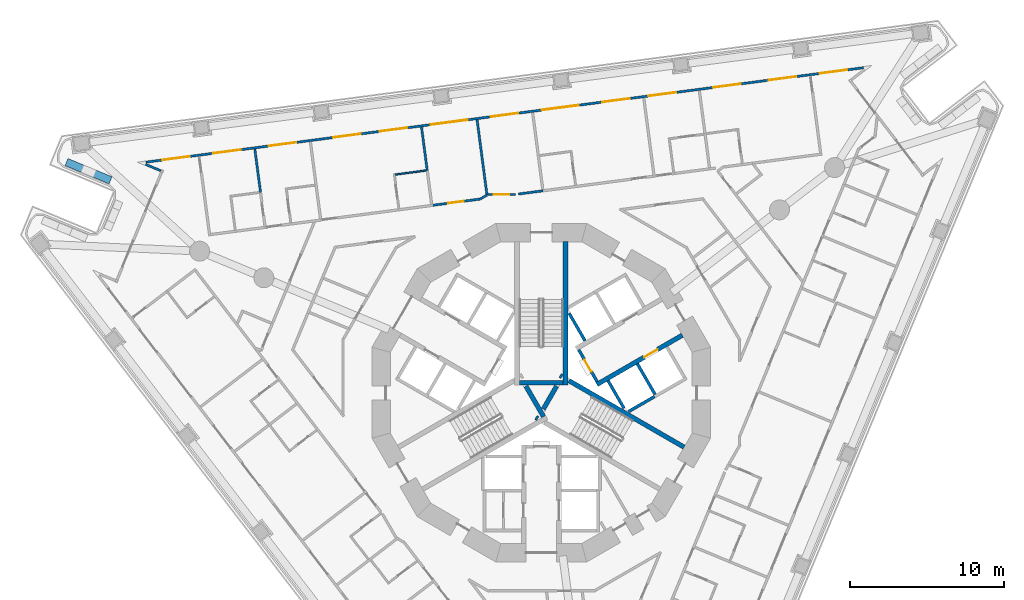
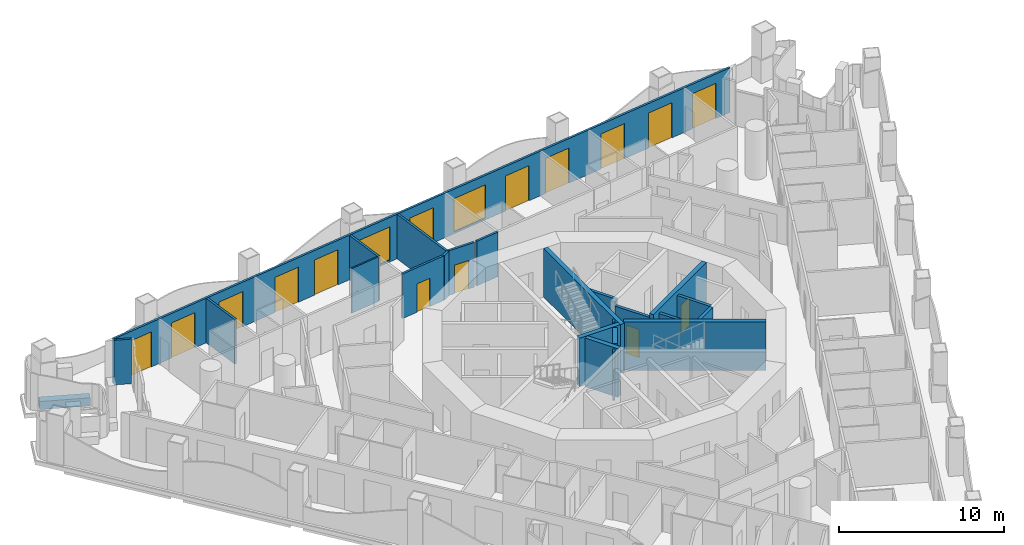
# One storey, part 8 of 19: 24 walls, 15 doors, 2 windows, 17 openings.
"""IFC4 building model written with IfcOpenShell, lengths in metres."""

import ifcopenshell
import ifcopenshell.guid

model = None  # the IFC model being written
_history = None  # IfcOwnerHistory: only IFC2X3 demands one
_inside = {}  # id of a spatial element -> (the spatial element, [elements in it])
_under = {}  # id of a project, library or spatial element -> (it, [spatial elements below it])
_declared = {}  # id of a project -> (the project, [libraries it declares])
_typed = {}  # id of a type object -> (the type object, [elements of that type])
_made_of = {}  # id of a material, layer set ... -> (it, [elements and type objects made of it])


def new_model(schema):
    """Start an empty IFC model of exactly this schema.

    Asked for "IFC4X3", IfcOpenShell would pick the latest addendum, in which some entities
    have other attributes; the version numbers below select the first issue.
    IFC2X3 requires an IfcOwnerHistory on every rooted entity: one is made here for all.
    """
    global model, _history
    if schema == "IFC4X3":
        model = ifcopenshell.file(schema_version=(4, 3, 0, 0))
    else:
        model = ifcopenshell.file(schema=schema)
    _inside.clear()
    _under.clear()
    _declared.clear()
    _typed.clear()
    _made_of.clear()
    _history = None
    if model.schema == "IFC2X3":
        org = make("IfcOrganization", Name="unknown")
        user = make(
            "IfcPersonAndOrganization",
            ThePerson=make("IfcPerson", FamilyName="unknown"),
            TheOrganization=org,
        )
        app = make(
            "IfcApplication",
            ApplicationDeveloper=org,
            Version="unknown",
            ApplicationFullName="unknown",
            ApplicationIdentifier="unknown",
        )
        _history = make(
            "IfcOwnerHistory",
            OwningUser=user,
            OwningApplication=app,
            ChangeAction="ADDED",
            CreationDate=0,
        )
    return model


def make(cls, **values):
    """One entity of the class cls with the attributes given. An attribute that is None is left unset."""
    return model.create_entity(
        cls, **{name: value for name, value in values.items() if value is not None}
    )


def rooted(cls, **values):
    """An entity with a GlobalId (a new one), such as an element, a storey or a relation."""
    return make(cls, GlobalId=ifcopenshell.guid.new(), OwnerHistory=_history, **values)


def si_unit(unit_type, name, prefix=None):
    """IfcSIUnit, for example si_unit("LENGTHUNIT", "METRE", prefix="MILLI")."""
    return make("IfcSIUnit", UnitType=unit_type, Prefix=prefix, Name=name)


def assignment(units):
    """IfcUnitAssignment: the units of a project."""
    return None if units is None else make("IfcUnitAssignment", Units=units)


def point(xyz):
    """IfcCartesianPoint."""
    return None if xyz is None else make("IfcCartesianPoint", Coordinates=xyz)


def direction(xyz):
    """IfcDirection."""
    return None if xyz is None else make("IfcDirection", DirectionRatios=xyz)


def frame(location, z_axis=None, x_axis=None):
    """IfcAxis2Placement3D, a coordinate frame: its origin and axes. An axis left out is left unset."""
    return make(
        "IfcAxis2Placement3D",
        Location=point(location),
        Axis=direction(z_axis),
        RefDirection=direction(x_axis),
    )


def frame_2d(location, x_axis=None):
    """IfcAxis2Placement2D, a coordinate frame in the plane: its origin and x axis."""
    return make(
        "IfcAxis2Placement2D", Location=point(location), RefDirection=direction(x_axis)
    )


def origin():
    """The frame at (0, 0, 0) with its axes left unset."""
    return frame((0.0, 0.0, 0.0))


def place(relative_to, where):
    """IfcLocalPlacement: puts the frame where relative to a parent placement (None: the world)."""
    return make(
        "IfcLocalPlacement", PlacementRelTo=relative_to, RelativePlacement=where
    )


def context(
    kind, dimensions, precision=None, world=None, true_north=None, identifier=None
):
    """IfcGeometricRepresentationContext, for example the 3D "Model" context."""
    return make(
        "IfcGeometricRepresentationContext",
        ContextIdentifier=identifier,
        ContextType=kind,
        CoordinateSpaceDimension=dimensions,
        Precision=precision,
        WorldCoordinateSystem=world,
        TrueNorth=true_north,
    )


def subcontext(parent, identifier, kind, view, scale=None):
    """IfcGeometricRepresentationSubContext, for example "Body" below "Model"."""
    return make(
        "IfcGeometricRepresentationSubContext",
        ContextIdentifier=identifier,
        ContextType=kind,
        ParentContext=parent,
        TargetScale=scale,
        TargetView=view,
    )


def project(units=None, contexts=None):
    """IfcProject with its units and contexts."""
    return rooted(
        "IfcProject",
        Name="project",
        RepresentationContexts=contexts,
        UnitsInContext=assignment(units),
    )


def spatial(cls, under=None, at=None, **own):
    """A site, building, storey or space (cls), placed at a placement, below another one or the project."""
    s = rooted(cls, ObjectPlacement=at, **own)
    if under is not None:
        _under.setdefault(under.id(), (under, []))[1].append(s)
    return s


def polyline(points):
    """IfcPolyline through the points."""
    return make("IfcPolyline", Points=[point(p) for p in points])


def profile(cls, at=None, kind="AREA", **sizes):
    """A parametric profile (cls). Its sizes go by their IFC names, for example OverallWidth=200.0."""
    return make(cls, ProfileType=kind, Position=at, **sizes)


def rectangle(**sizes):
    """IfcRectangleProfileDef."""
    return profile("IfcRectangleProfileDef", **sizes)


def outline(outer, holes=None, kind="AREA"):
    """IfcArbitraryClosedProfileDef: a profile drawn as a closed curve; with holes, ...WithVoids."""
    if holes is None:
        return make("IfcArbitraryClosedProfileDef", ProfileType=kind, OuterCurve=outer)
    return make(
        "IfcArbitraryProfileDefWithVoids",
        ProfileType=kind,
        OuterCurve=outer,
        InnerCurves=holes,
    )


def extrude(swept, where, along, depth):
    """IfcExtrudedAreaSolid: the profile swept, set in the frame where, extruded along a direction by depth."""
    return make(
        "IfcExtrudedAreaSolid",
        SweptArea=swept,
        Position=where,
        ExtrudedDirection=direction(along),
        Depth=depth,
    )


def shape(context_of_items, identifier, shape_type, items):
    """IfcShapeRepresentation: the items that make up one representation, for example the "Body"."""
    return make(
        "IfcShapeRepresentation",
        ContextOfItems=context_of_items,
        RepresentationIdentifier=identifier,
        RepresentationType=shape_type,
        Items=items,
    )


def material(Name=None, Category=None):
    """IfcMaterial."""
    return make("IfcMaterial", Name=Name, Category=Category)


def layer(
    of_material, thickness, ventilated=None, Name=None, Category=None, Priority=None
):
    """IfcMaterialLayer: one layer of a wall or slab, of a material (None: an air gap)."""
    return make(
        "IfcMaterialLayer",
        Material=of_material,
        LayerThickness=thickness,
        IsVentilated=ventilated,
        Name=Name,
        Category=Category,
        Priority=Priority,
    )


def layer_set(layers, Name=None):
    """IfcMaterialLayerSet."""
    return make("IfcMaterialLayerSet", MaterialLayers=layers, LayerSetName=Name)


def made_of(thing, what):
    """Note that an element or type object is made of a material, layer set ...; save() writes the relation."""
    if what is not None:
        _made_of.setdefault(what.id(), (what, []))[1].append(thing)
    return thing


def type_object(cls, material=None, **own):
    """A type object (cls), such as IfcWallType, which elements share."""
    return made_of(rooted(cls, **own), material)


def element(
    cls,
    number,
    at=None,
    inside=None,
    cuts=None,
    type_object=None,
    material=None,
    context=None,
    identifier="Body",
    shape_type=None,
    held_by="IfcProductDefinitionShape",
    body=None,
    shapes=None,
    **own,
):
    """One element of the class cls, such as IfcWall. Its Tag is "e" and its number.

    at: its placement. inside: the storey or other place that contains it. cuts: it is an
    opening in that element (IfcRelVoidsElement). A single representation is given by context,
    identifier, shape_type and body (its items); several are given by shapes. held_by: the class
    of the entity that holds the representations. save() writes the other relations.
    """
    e = rooted(cls, Tag="e%d" % number, ObjectPlacement=at, **own)
    if body is not None:
        shapes = [shape(context, identifier, shape_type, body)]
    if shapes is not None:
        e.Representation = make(held_by, Representations=shapes)
    if inside is not None:
        _inside.setdefault(inside.id(), (inside, []))[1].append(e)
    if cuts is not None:
        rooted(
            "IfcRelVoidsElement", RelatingBuildingElement=cuts, RelatedOpeningElement=e
        )
    if type_object is not None:
        _typed.setdefault(type_object.id(), (type_object, []))[1].append(e)
    return made_of(e, material)


def fill(opening, filler):
    """IfcRelFillsElement: the door or window that sits in an opening."""
    return rooted(
        "IfcRelFillsElement",
        RelatingOpeningElement=opening,
        RelatedBuildingElement=filler,
    )


def aggregate(whole, parts):
    """IfcRelAggregates: a whole, such as a stair, and the parts it consists of."""
    return rooted("IfcRelAggregates", RelatingObject=whole, RelatedObjects=parts)


def save(model, path):
    """Write the relations noted so far, then the file.

    IfcRelAggregates (storeys below a building ...), IfcRelContainedInSpatialStructure (elements
    in a storey), IfcRelDefinesByType, IfcRelAssociatesMaterial and IfcRelDeclares: one each for
    every whole, place, type object, material and project.
    """
    for whole, parts in _under.values():
        aggregate(whole, parts)
    for where, things in _inside.values():
        rooted(
            "IfcRelContainedInSpatialStructure",
            RelatedElements=things,
            RelatingStructure=where,
        )
    for kind, things in _typed.values():
        rooted("IfcRelDefinesByType", RelatedObjects=things, RelatingType=kind)
    for what, things in _made_of.values():
        rooted("IfcRelAssociatesMaterial", RelatedObjects=things, RelatingMaterial=what)
    for by, libraries in _declared.values():
        rooted("IfcRelDeclares", RelatingContext=by, RelatedDefinitions=libraries)
    model.write(path)


model = new_model("IFC4")

# Units and contexts
model_context = context("Model", 3, precision=1e-05, world=origin(), true_north=direction((0.0, 1.0)))
body_context = subcontext(model_context, "Body", "Model", "MODEL_VIEW")
ifc_project = project(units=[si_unit("LENGTHUNIT", "METRE"), si_unit("AREAUNIT", "SQUARE_METRE"), si_unit("VOLUMEUNIT", "CUBIC_METRE"), si_unit("PLANEANGLEUNIT", "RADIAN"), si_unit("MASSUNIT", "GRAM", prefix="KILO")], contexts=[model_context])

# Site, building, storey
site_placement = place(None, origin())
site = spatial("IfcSite", under=ifc_project, at=site_placement, CompositionType="ELEMENT")
building_placement = place(site_placement, origin())
building = spatial("IfcBuilding", under=site, at=building_placement, Name="Trine Commons Tower", CompositionType="ELEMENT")
storey_placement = place(building_placement, frame((0.0, 0.0, 72.0)))
storey = spatial("IfcBuildingStorey", under=building, at=storey_placement, Name="L17", CompositionType="ELEMENT", Elevation=72.0)

# Wall
ifc_material_1 = material(Name="Aluminium-framed insulated wall panel", Category="aluminium")
ifc_layer_1 = layer(ifc_material_1, 0.14990234375)
ifc_layer_set_1 = layer_set([ifc_layer_1], Name="Aluminium-framed insulated wall panel")
wall_type_1 = type_object("IfcWallType", Name="Glazed frame wall 150, EI 60", PredefinedType="SOLIDWALL", material=ifc_layer_set_1)
wall_1_placement = place(storey_placement, frame((55.376220703125, 76.883056640625, 0.0), z_axis=(0.0, 0.0, 1.0), x_axis=(-0.923901801611, 0.382629665579, 0.0)))
element("IfcWall", 1, at=wall_1_placement, inside=storey, type_object=wall_type_1, Name="Glazed frame wall R3", PredefinedType="SOLIDWALL", context=body_context, shape_type="SweptSolid", body=[
    extrude(outline(polyline([(0.110107421875, 0.074951171875), (0.110107421875, -0.074951171875), (1.19580078125, -0.074951171875), (1.19580078125, 0.074951171875), (0.110107421875, 0.074951171875)])), origin(), (0.0, 0.0, 1.0), 3.300048828125),
])

# Wall, openings, windows, doors
wall_2_placement = place(storey_placement, frame((54.142333984375, 77.464599609375, 0.0), z_axis=(0.0, 0.0, 1.0), x_axis=(0.991444696532, 0.130527444308, 0.0)))
wall_2 = element("IfcWall", 2, at=wall_2_placement, inside=storey, type_object=wall_type_1, Name="Glazed frame wall F1", PredefinedType="SOLIDWALL", context=body_context, shape_type="SweptSolid", body=[
    extrude(outline(polyline([(0.1494140625, 0.074951171875), (0.1494140625, -0.074951171875), (47.216796875, -0.074951171875), (47.216796875, 0.074951171875), (0.1494140625, 0.074951171875)])), origin(), (0.0, 0.0, 1.0), 3.300048828125),
])
opening_1_placement = place(wall_2_placement, frame((1.2216796875, 0.0, 0.0)))
opening_1 = element("IfcOpeningElement", 3, at=opening_1_placement, cuts=wall_2, Name="Opening BD-2F1-01", PredefinedType="OPENING", context=body_context, shape_type="SweptSolid", body=[
    extrude(rectangle(XDim=1.800048828125, YDim=2.60009765625, at=frame_2d((0.89990234375, 1.300048828125))), frame((0.0, 0.0849609375, 0.0), z_axis=(0.0, -1.0, 0.0), x_axis=(1.0, 0.0, 0.0)), (0.0, 0.0, 1.0), 0.169921875),
])
opening_2_placement = place(wall_2_placement, frame((4.5654296875, 0.0, 0.0)))
opening_2 = element("IfcOpeningElement", 4, at=opening_2_placement, cuts=wall_2, Name="Opening BD-2F1-02", PredefinedType="OPENING", context=body_context, shape_type="SweptSolid", body=[
    extrude(rectangle(XDim=1.800048828125, YDim=2.60009765625, at=frame_2d((0.89990234375, 1.300048828125))), frame((0.0, 0.0849609375, 0.0), z_axis=(0.0, -1.0, 0.0), x_axis=(1.0, 0.0, 0.0)), (0.0, 0.0, 1.0), 0.169921875),
])
opening_3_placement = place(wall_2_placement, frame((8.208984375, 0.0, 0.0)))
opening_3 = element("IfcOpeningElement", 5, at=opening_3_placement, cuts=wall_2, Name="Opening BD-2F1-03", PredefinedType="OPENING", context=body_context, shape_type="SweptSolid", body=[
    extrude(rectangle(XDim=1.800048828125, YDim=2.60009765625, at=frame_2d((0.89990234375, 1.300048828125))), frame((0.0, 0.0849609375, 0.0), z_axis=(0.0, -1.0, 0.0), x_axis=(1.0, 0.0, 0.0)), (0.0, 0.0, 1.0), 0.169921875),
])
opening_4_placement = place(wall_2_placement, frame((12.45263671875, 0.0, 0.0)))
opening_4 = element("IfcOpeningElement", 6, at=opening_4_placement, cuts=wall_2, Name="Opening BD-2F1-04", PredefinedType="OPENING", context=body_context, shape_type="SweptSolid", body=[
    extrude(rectangle(XDim=1.800048828125, YDim=2.60009765625, at=frame_2d((0.89990234375, 1.300048828125))), frame((0.0, 0.0849609375, 0.0), z_axis=(0.0, -1.0, 0.0), x_axis=(1.0, 0.0, 0.0)), (0.0, 0.0, 1.0), 0.169921875),
])
opening_5_placement = place(wall_2_placement, frame((15.49609375, 0.0, 0.0)))
opening_5 = element("IfcOpeningElement", 7, at=opening_5_placement, cuts=wall_2, Name="Opening BD-2F1-05", PredefinedType="OPENING", context=body_context, shape_type="SweptSolid", body=[
    extrude(rectangle(XDim=1.800048828125, YDim=2.60009765625, at=frame_2d((0.89990234375, 1.300048828125))), frame((0.0, 0.0849609375, 0.0), z_axis=(0.0, -1.0, 0.0), x_axis=(1.0, 0.0, 0.0)), (0.0, 0.0, 1.0), 0.169921875),
])
opening_6_placement = place(wall_2_placement, frame((18.83984375, 0.0, 0.14990234375)))
opening_6 = element("IfcOpeningElement", 8, at=opening_6_placement, cuts=wall_2, Name="Opening W-2F1-06", PredefinedType="OPENING", context=body_context, shape_type="SweptSolid", body=[
    extrude(rectangle(XDim=2.39990234375, YDim=2.449951171875, at=frame_2d((1.199951171875, 1.22509765625))), frame((0.0, 0.0849609375, 0.0), z_axis=(0.0, -1.0, 0.0), x_axis=(1.0, 0.0, 0.0)), (0.0, 0.0, 1.0), 0.169921875),
])
opening_7_placement = place(wall_2_placement, frame((22.783447265625, 0.0, 0.0)))
opening_7 = element("IfcOpeningElement", 9, at=opening_7_placement, cuts=wall_2, Name="Opening BD-2F1-07", PredefinedType="OPENING", context=body_context, shape_type="SweptSolid", body=[
    extrude(rectangle(XDim=1.800048828125, YDim=2.60009765625, at=frame_2d((0.89990234375, 1.300048828125))), frame((0.0, 0.0849609375, 0.0), z_axis=(0.0, -1.0, 0.0), x_axis=(1.0, 0.0, 0.0)), (0.0, 0.0, 1.0), 0.169921875),
])
opening_8_placement = place(wall_2_placement, frame((26.126953125, 0.0, 0.14990234375)))
opening_8 = element("IfcOpeningElement", 10, at=opening_8_placement, cuts=wall_2, Name="Opening W-2F1-08", PredefinedType="OPENING", context=body_context, shape_type="SweptSolid", body=[
    extrude(rectangle(XDim=2.39990234375, YDim=2.449951171875, at=frame_2d((1.199951171875, 1.22509765625))), frame((0.0, 0.0849609375, 0.0), z_axis=(0.0, -1.0, 0.0), x_axis=(1.0, 0.0, 0.0)), (0.0, 0.0, 1.0), 0.169921875),
])
opening_9_placement = place(wall_2_placement, frame((30.070556640625, 0.0, 0.0)))
opening_9 = element("IfcOpeningElement", 11, at=opening_9_placement, cuts=wall_2, Name="Opening BD-2F1-09", PredefinedType="OPENING", context=body_context, shape_type="SweptSolid", body=[
    extrude(rectangle(XDim=1.800048828125, YDim=2.60009765625, at=frame_2d((0.89990234375, 1.300048828125))), frame((0.0, 0.0849609375, 0.0), z_axis=(0.0, -1.0, 0.0), x_axis=(1.0, 0.0, 0.0)), (0.0, 0.0, 1.0), 0.169921875),
])
opening_10_placement = place(wall_2_placement, frame((33.1142578125, 0.0, 0.0)))
opening_10 = element("IfcOpeningElement", 12, at=opening_10_placement, cuts=wall_2, Name="Opening BD-2F1-10", PredefinedType="OPENING", context=body_context, shape_type="SweptSolid", body=[
    extrude(rectangle(XDim=1.800048828125, YDim=2.60009765625, at=frame_2d((0.89990234375, 1.300048828125))), frame((0.0, 0.0849609375, 0.0), z_axis=(0.0, -1.0, 0.0), x_axis=(1.0, 0.0, 0.0)), (0.0, 0.0, 1.0), 0.169921875),
])
opening_11_placement = place(wall_2_placement, frame((37.35791015625, 0.0, 0.0)))
opening_11 = element("IfcOpeningElement", 13, at=opening_11_placement, cuts=wall_2, Name="Opening BD-2F1-11", PredefinedType="OPENING", context=body_context, shape_type="SweptSolid", body=[
    extrude(rectangle(XDim=1.800048828125, YDim=2.60009765625, at=frame_2d((0.89990234375, 1.300048828125))), frame((0.0, 0.0849609375, 0.0), z_axis=(0.0, -1.0, 0.0), x_axis=(1.0, 0.0, 0.0)), (0.0, 0.0, 1.0), 0.169921875),
])
opening_12_placement = place(wall_2_placement, frame((41.00146484375, 0.0, 0.0)))
opening_12 = element("IfcOpeningElement", 14, at=opening_12_placement, cuts=wall_2, Name="Opening BD-2F1-12", PredefinedType="OPENING", context=body_context, shape_type="SweptSolid", body=[
    extrude(rectangle(XDim=1.800048828125, YDim=2.60009765625, at=frame_2d((0.89990234375, 1.300048828125))), frame((0.0, 0.0849609375, 0.0), z_axis=(0.0, -1.0, 0.0), x_axis=(1.0, 0.0, 0.0)), (0.0, 0.0, 1.0), 0.169921875),
])
opening_13_placement = place(wall_2_placement, frame((44.344970703125, 0.0, 0.0)))
opening_13 = element("IfcOpeningElement", 15, at=opening_13_placement, cuts=wall_2, Name="Opening BD-2F1-13", PredefinedType="OPENING", context=body_context, shape_type="SweptSolid", body=[
    extrude(rectangle(XDim=1.800048828125, YDim=2.60009765625, at=frame_2d((0.89990234375, 1.300048828125))), frame((0.0, 0.0849609375, 0.0), z_axis=(0.0, -1.0, 0.0), x_axis=(1.0, 0.0, 0.0)), (0.0, 0.0, 1.0), 0.169921875),
])
ifc_material_2 = material(Name="Anodised aluminium frame with double glazing", Category="aluminium")
window_type = type_object("IfcWindowType", Name="Fixed window 2400x2450", PartitioningType="SINGLE_PANEL", PredefinedType="WINDOW", material=ifc_material_2)
window_1_placement = place(opening_6_placement, origin())
window_1 = element("IfcWindow", 16, at=window_1_placement, inside=storey, type_object=window_type, Name="Window F1 6", OverallHeight=2.449951171875, OverallWidth=2.39990234375, PartitioningType="SINGLE_PANEL", PredefinedType="WINDOW", context=body_context, shape_type="SweptSolid", body=[
    extrude(rectangle(XDim=2.39990234375, YDim=2.449951171875, at=frame_2d((1.199951171875, 1.22509765625))), frame((0.0, 0.030029296875, 0.0), z_axis=(0.0, -1.0, 0.0), x_axis=(1.0, 0.0, 0.0)), (0.0, 0.0, 1.0), 0.06005859375),
])
fill(opening_6, window_1)
window_2_placement = place(opening_8_placement, origin())
window_2 = element("IfcWindow", 17, at=window_2_placement, inside=storey, type_object=window_type, Name="Window F1 8", OverallHeight=2.449951171875, OverallWidth=2.39990234375, PartitioningType="SINGLE_PANEL", PredefinedType="WINDOW", context=body_context, shape_type="SweptSolid", body=[
    extrude(rectangle(XDim=2.39990234375, YDim=2.449951171875, at=frame_2d((1.199951171875, 1.22509765625))), frame((0.0, 0.030029296875, 0.0), z_axis=(0.0, -1.0, 0.0), x_axis=(1.0, 0.0, 0.0)), (0.0, 0.0, 1.0), 0.06005859375),
])
fill(opening_8, window_2)
door_type_1 = type_object("IfcDoorType", Name="Sliding loggia door 1800x2600", OperationType="SLIDING_TO_LEFT", PredefinedType="DOOR", material=ifc_material_2)
door_1_placement = place(opening_1_placement, origin())
door_1 = element("IfcDoor", 18, at=door_1_placement, inside=storey, type_object=door_type_1, Name="Loggia door F1 1", OperationType="SLIDING_TO_LEFT", OverallHeight=2.60009765625, OverallWidth=1.800048828125, PredefinedType="DOOR", context=body_context, shape_type="SweptSolid", body=[
    extrude(rectangle(XDim=1.800048828125, YDim=2.60009765625, at=frame_2d((0.89990234375, 1.300048828125))), frame((0.0, 0.02490234375, 0.0), z_axis=(0.0, -1.0, 0.0), x_axis=(1.0, 0.0, 0.0)), (0.0, 0.0, 1.0), 0.050048828125),
])
fill(opening_1, door_1)
door_2_placement = place(opening_2_placement, origin())
door_2 = element("IfcDoor", 19, at=door_2_placement, inside=storey, type_object=door_type_1, Name="Loggia door F1 2", OperationType="SLIDING_TO_LEFT", OverallHeight=2.60009765625, OverallWidth=1.800048828125, PredefinedType="DOOR", context=body_context, shape_type="SweptSolid", body=[
    extrude(rectangle(XDim=1.800048828125, YDim=2.60009765625, at=frame_2d((0.89990234375, 1.300048828125))), frame((0.0, 0.02490234375, 0.0), z_axis=(0.0, -1.0, 0.0), x_axis=(1.0, 0.0, 0.0)), (0.0, 0.0, 1.0), 0.050048828125),
])
fill(opening_2, door_2)
door_3_placement = place(opening_3_placement, origin())
door_3 = element("IfcDoor", 20, at=door_3_placement, inside=storey, type_object=door_type_1, Name="Loggia door F1 3", OperationType="SLIDING_TO_LEFT", OverallHeight=2.60009765625, OverallWidth=1.800048828125, PredefinedType="DOOR", context=body_context, shape_type="SweptSolid", body=[
    extrude(rectangle(XDim=1.800048828125, YDim=2.60009765625, at=frame_2d((0.89990234375, 1.300048828125))), frame((0.0, 0.02490234375, 0.0), z_axis=(0.0, -1.0, 0.0), x_axis=(1.0, 0.0, 0.0)), (0.0, 0.0, 1.0), 0.050048828125),
])
fill(opening_3, door_3)
door_4_placement = place(opening_4_placement, origin())
door_4 = element("IfcDoor", 21, at=door_4_placement, inside=storey, type_object=door_type_1, Name="Loggia door F1 4", OperationType="SLIDING_TO_LEFT", OverallHeight=2.60009765625, OverallWidth=1.800048828125, PredefinedType="DOOR", context=body_context, shape_type="SweptSolid", body=[
    extrude(rectangle(XDim=1.800048828125, YDim=2.60009765625, at=frame_2d((0.89990234375, 1.300048828125))), frame((0.0, 0.02490234375, 0.0), z_axis=(0.0, -1.0, 0.0), x_axis=(1.0, 0.0, 0.0)), (0.0, 0.0, 1.0), 0.050048828125),
])
fill(opening_4, door_4)
door_5_placement = place(opening_5_placement, origin())
door_5 = element("IfcDoor", 22, at=door_5_placement, inside=storey, type_object=door_type_1, Name="Loggia door F1 5", OperationType="SLIDING_TO_LEFT", OverallHeight=2.60009765625, OverallWidth=1.800048828125, PredefinedType="DOOR", context=body_context, shape_type="SweptSolid", body=[
    extrude(rectangle(XDim=1.800048828125, YDim=2.60009765625, at=frame_2d((0.89990234375, 1.300048828125))), frame((0.0, 0.02490234375, 0.0), z_axis=(0.0, -1.0, 0.0), x_axis=(1.0, 0.0, 0.0)), (0.0, 0.0, 1.0), 0.050048828125),
])
fill(opening_5, door_5)
door_6_placement = place(opening_7_placement, origin())
door_6 = element("IfcDoor", 23, at=door_6_placement, inside=storey, type_object=door_type_1, Name="Loggia door F1 7", OperationType="SLIDING_TO_LEFT", OverallHeight=2.60009765625, OverallWidth=1.800048828125, PredefinedType="DOOR", context=body_context, shape_type="SweptSolid", body=[
    extrude(rectangle(XDim=1.800048828125, YDim=2.60009765625, at=frame_2d((0.89990234375, 1.300048828125))), frame((0.0, 0.02490234375, 0.0), z_axis=(0.0, -1.0, 0.0), x_axis=(1.0, 0.0, 0.0)), (0.0, 0.0, 1.0), 0.050048828125),
])
fill(opening_7, door_6)
door_7_placement = place(opening_9_placement, origin())
door_7 = element("IfcDoor", 24, at=door_7_placement, inside=storey, type_object=door_type_1, Name="Loggia door F1 9", OperationType="SLIDING_TO_LEFT", OverallHeight=2.60009765625, OverallWidth=1.800048828125, PredefinedType="DOOR", context=body_context, shape_type="SweptSolid", body=[
    extrude(rectangle(XDim=1.800048828125, YDim=2.60009765625, at=frame_2d((0.89990234375, 1.300048828125))), frame((0.0, 0.02490234375, 0.0), z_axis=(0.0, -1.0, 0.0), x_axis=(1.0, 0.0, 0.0)), (0.0, 0.0, 1.0), 0.050048828125),
])
fill(opening_9, door_7)
door_8_placement = place(opening_10_placement, origin())
door_8 = element("IfcDoor", 25, at=door_8_placement, inside=storey, type_object=door_type_1, Name="Loggia door F1 10", OperationType="SLIDING_TO_LEFT", OverallHeight=2.60009765625, OverallWidth=1.800048828125, PredefinedType="DOOR", context=body_context, shape_type="SweptSolid", body=[
    extrude(rectangle(XDim=1.800048828125, YDim=2.60009765625, at=frame_2d((0.89990234375, 1.300048828125))), frame((0.0, 0.02490234375, 0.0), z_axis=(0.0, -1.0, 0.0), x_axis=(1.0, 0.0, 0.0)), (0.0, 0.0, 1.0), 0.050048828125),
])
fill(opening_10, door_8)
door_9_placement = place(opening_11_placement, origin())
door_9 = element("IfcDoor", 26, at=door_9_placement, inside=storey, type_object=door_type_1, Name="Loggia door F1 11", OperationType="SLIDING_TO_LEFT", OverallHeight=2.60009765625, OverallWidth=1.800048828125, PredefinedType="DOOR", context=body_context, shape_type="SweptSolid", body=[
    extrude(rectangle(XDim=1.800048828125, YDim=2.60009765625, at=frame_2d((0.89990234375, 1.300048828125))), frame((0.0, 0.02490234375, 0.0), z_axis=(0.0, -1.0, 0.0), x_axis=(1.0, 0.0, 0.0)), (0.0, 0.0, 1.0), 0.050048828125),
])
fill(opening_11, door_9)
door_10_placement = place(opening_12_placement, origin())
door_10 = element("IfcDoor", 27, at=door_10_placement, inside=storey, type_object=door_type_1, Name="Loggia door F1 12", OperationType="SLIDING_TO_LEFT", OverallHeight=2.60009765625, OverallWidth=1.800048828125, PredefinedType="DOOR", context=body_context, shape_type="SweptSolid", body=[
    extrude(rectangle(XDim=1.800048828125, YDim=2.60009765625, at=frame_2d((0.89990234375, 1.300048828125))), frame((0.0, 0.02490234375, 0.0), z_axis=(0.0, -1.0, 0.0), x_axis=(1.0, 0.0, 0.0)), (0.0, 0.0, 1.0), 0.050048828125),
])
fill(opening_12, door_10)
door_11_placement = place(opening_13_placement, origin())
door_11 = element("IfcDoor", 28, at=door_11_placement, inside=storey, type_object=door_type_1, Name="Loggia door F1 13", OperationType="SLIDING_TO_LEFT", OverallHeight=2.60009765625, OverallWidth=1.800048828125, PredefinedType="DOOR", context=body_context, shape_type="SweptSolid", body=[
    extrude(rectangle(XDim=1.800048828125, YDim=2.60009765625, at=frame_2d((0.89990234375, 1.300048828125))), frame((0.0, 0.02490234375, 0.0), z_axis=(0.0, -1.0, 0.0), x_axis=(1.0, 0.0, 0.0)), (0.0, 0.0, 1.0), 0.050048828125),
])
fill(opening_13, door_11)

# Wall, opening, door
ifc_material_3 = material(Name="Fire-rated gypsum shaft wall system")
ifc_layer_2 = layer(ifc_material_3, 0.199951171875)
ifc_layer_set_2 = layer_set([ifc_layer_2], Name="Fire-rated gypsum shaft wall system")
wall_type_2 = type_object("IfcWallType", Name="Lobby end wall 200 mm, EI 120", PredefinedType="PARTITIONING", material=ifc_layer_set_2)
wall_3_placement = place(storey_placement, frame((83.631103515625, 63.2109375, 0.0), z_axis=(0.0, 0.0, 1.0), x_axis=(-0.50012165622, 0.865955154139, 0.0)))
wall_3 = element("IfcWall", 29, at=wall_3_placement, inside=storey, type_object=wall_type_2, Name="Lobby end wall L17", PredefinedType="PARTITIONING", context=body_context, shape_type="SweptSolid", body=[
    extrude(rectangle(XDim=2.39990234375, YDim=0.199951171875, at=frame_2d((1.199951171875, 0.0))), origin(), (0.0, 0.0, 1.0), 3.300048828125),
])
opening_14_placement = place(wall_3_placement, frame((0.749755859375, 0.0, 0.0)))
opening_14 = element("IfcOpeningElement", 30, at=opening_14_placement, cuts=wall_3, Name="Opening K04.05", PredefinedType="OPENING", context=body_context, shape_type="SweptSolid", body=[
    extrude(rectangle(XDim=0.89990234375, YDim=2.10009765625, at=frame_2d((0.449951171875, 1.050048828125))), frame((0.0, 0.10986328125, 0.0), z_axis=(0.0, -1.0, 0.0), x_axis=(1.0, 0.0, 0.0)), (0.0, 0.0, 1.0), 0.219970703125),
])
ifc_material_4 = material(Name="Steel door leaf, fire-rated", Category="steel")
door_type_2 = type_object("IfcDoorType", Name="Riser access door, single leaf 900 x 2100, FD60", OperationType="SINGLE_SWING_LEFT", PredefinedType="DOOR", material=ifc_material_4)
door_12_placement = place(opening_14_placement, frame((0.89990234375, 0.0, 0.0), z_axis=(0.0, 0.0, 1.0), x_axis=(-1.0, 0.0, 0.0)))
door_12 = element("IfcDoor", 31, at=door_12_placement, inside=storey, type_object=door_type_2, Name="Riser door, Electrical riser L17", OperationType="SINGLE_SWING_LEFT", OverallHeight=2.10009765625, OverallWidth=0.89990234375, PredefinedType="DOOR", context=body_context, shape_type="SweptSolid", body=[
    extrude(rectangle(XDim=0.89990234375, YDim=2.10009765625, at=frame_2d((0.449951171875, 1.050048828125))), frame((0.0, 0.02490234375, 0.0), z_axis=(0.0, -1.0, 0.0), x_axis=(1.0, 0.0, 0.0)), (0.0, 0.0, 1.0), 0.050048828125),
])
fill(opening_14, door_12)

# Wall
ifc_material_5 = material(Name="Planter trough, precast concrete C40/50", Category="concrete")
ifc_layer_3 = layer(ifc_material_5, 0.5)
ifc_layer_set_3 = layer_set([ifc_layer_3], Name="Planter trough, precast concrete C40/50")
wall_type_3 = type_object("IfcWallType", Name="Planter trough 500x600", PredefinedType="PARAPET", material=ifc_layer_set_3)
wall_4_placement = place(storey_placement, frame((51.99853515625, 76.306640625, 0.0), z_axis=(0.0, 0.0, 1.0), x_axis=(-0.923883411188, 0.382674068277, 0.0)))
element("IfcWall", 32, at=wall_4_placement, inside=storey, type_object=wall_type_3, Name="Planter 3", PredefinedType="PARAPET", context=body_context, shape_type="SweptSolid", body=[
    extrude(rectangle(XDim=3.099853515625, YDim=0.5, at=frame_2d((1.5498046875, 0.0))), origin(), (0.0, 0.0, 1.0), 0.60009765625),
])

# Wall, opening, door
ifc_material_6 = material(Name="Concrete C80/95", Category="concrete")
ifc_layer_4 = layer(ifc_material_6, 0.300048828125)
ifc_layer_set_4 = layer_set([ifc_layer_4], Name="Concrete C80/95")
wall_type_4 = type_object("IfcWallType", Name="RC shear wall 300 mm, C80/95", PredefinedType="SHEAR", material=ifc_layer_set_4)
wall_5_placement = place(storey_placement, frame((83.618896484375, 63.031005859375, 0.0), z_axis=(0.0, 0.0, 1.0), x_axis=(0.866032150378, 0.499988314375, 0.0)))
wall_5 = element("IfcWall", 33, at=wall_5_placement, inside=storey, type_object=wall_type_4, Name="Core cross wall SWA-06 L17", PredefinedType="SHEAR", context=body_context, shape_type="SweptSolid", body=[
    extrude(rectangle(XDim=6.412353515625, YDim=0.300048828125, at=frame_2d((3.2060546875, 0.0))), origin(), (0.0, 0.0, 1.0), 3.60009765625),
])
opening_15_placement = place(wall_5_placement, frame((3.55029296875, 0.0, 0.0)))
opening_15 = element("IfcOpeningElement", 34, at=opening_15_placement, cuts=wall_5, Name="Opening LD2", PredefinedType="OPENING", context=body_context, shape_type="SweptSolid", body=[
    extrude(rectangle(XDim=1.0, YDim=2.10009765625, at=frame_2d((0.5, 1.050048828125))), frame((0.0, 0.159912109375, 0.0), z_axis=(0.0, -1.0, 0.0), x_axis=(1.0, 0.0, 0.0)), (0.0, 0.0, 1.0), 0.320068359375),
])
ifc_material_7 = material(Name="Stainless steel sliding door leaves", Category="steel")
door_type_3 = type_object("IfcDoorType", Name="Lift landing door, centre-opening sliding 1000 x 2100, FD90", OperationType="DOUBLE_DOOR_SLIDING", PredefinedType="DOOR", material=ifc_material_7)
door_13_placement = place(opening_15_placement, origin())
door_13 = element("IfcDoor", 35, at=door_13_placement, inside=storey, type_object=door_type_3, Name="Lift landing door LR2 L17", OperationType="DOUBLE_DOOR_SLIDING", OverallHeight=2.10009765625, OverallWidth=1.0, PredefinedType="DOOR", context=body_context, shape_type="SweptSolid", body=[
    extrude(rectangle(XDim=1.0, YDim=2.10009765625, at=frame_2d((0.5, 1.050048828125))), frame((0.0, 0.02490234375, 0.0), z_axis=(0.0, -1.0, 0.0), x_axis=(1.0, 0.0, 0.0)), (0.0, 0.0, 1.0), 0.050048828125),
])
fill(opening_15, door_13)

# Walls
wall_6_placement = place(storey_placement, frame((79.0029296875, 62.926025390625, 0.0), z_axis=(0.0, 0.0, 1.0), x_axis=(0.499965247104, -0.866045467449, 0.0)))
element("IfcWall", 36, at=wall_6_placement, inside=storey, type_object=wall_type_4, Name="Core cross wall SWA-10 L17", PredefinedType="SHEAR", context=body_context, shape_type="SweptSolid", body=[
    extrude(rectangle(XDim=2.292236328125, YDim=0.300048828125, at=frame_2d((1.14599609375, 0.0))), origin(), (0.0, 0.0, 1.0), 3.60009765625),
])
wall_7_placement = place(storey_placement, frame((79.64599609375, 60.885986328125, 0.0), z_axis=(0.0, 0.0, 1.0), x_axis=(0.867331893649, -0.497730234424, 0.0)))
element("IfcWall", 37, at=wall_7_placement, inside=storey, type_object=wall_type_4, Name="Core cross wall SWA-11 L17", PredefinedType="SHEAR", context=body_context, shape_type="SweptSolid", body=[
    extrude(rectangle(XDim=0.148681640625, YDim=0.300048828125, at=frame_2d((0.07421875, 0.0))), origin(), (0.0, 0.0, 1.0), 3.60009765625),
])
wall_8_placement = place(storey_placement, frame((80.1298828125, 61.424072265625, 0.0), z_axis=(0.0, 0.0, 1.0), x_axis=(0.500014901547, 0.866016800201, 0.0)))
element("IfcWall", 38, at=wall_8_placement, inside=storey, type_object=wall_type_4, Name="Core cross wall SWA-12 L17", PredefinedType="SHEAR", context=body_context, shape_type="SweptSolid", body=[
    extrude(rectangle(XDim=1.734375, YDim=0.300048828125, at=frame_2d((0.8671875, 0.0))), origin(), (0.0, 0.0, 1.0), 3.60009765625),
])
wall_9_placement = place(storey_placement, frame((81.220947265625, 63.614013671875, 0.0), z_axis=(0.0, 0.0, 1.0), x_axis=(0.867737973955, -0.497021939713, 0.0)))
element("IfcWall", 39, at=wall_9_placement, inside=storey, type_object=wall_type_4, Name="Core cross wall SWA-15 L17", PredefinedType="SHEAR", context=body_context, shape_type="SweptSolid", body=[
    extrude(rectangle(XDim=0.14892578125, YDim=0.300048828125, at=frame_2d((0.074462890625, 0.0))), origin(), (0.0, 0.0, 1.0), 3.60009765625),
])
wall_10_placement = place(storey_placement, frame((81.425048828125, 63.15087890625, 0.0), z_axis=(0.0, 0.0, 1.0), x_axis=(-1.0, 0.0, 0.0)))
element("IfcWall", 40, at=wall_10_placement, inside=storey, type_object=wall_type_4, Name="Core cross wall SWA-16 L17", PredefinedType="SHEAR", context=body_context, shape_type="SweptSolid", body=[
    extrude(rectangle(XDim=2.85009765625, YDim=0.300048828125, at=frame_2d((1.425048828125, 0.0))), origin(), (0.0, 0.0, 1.0), 3.60009765625),
])
wall_11_placement = place(storey_placement, frame((81.574951171875, 63.0009765625, 0.0), z_axis=(0.0, 0.0, 1.0), x_axis=(0.0, 1.0, 0.0)))
element("IfcWall", 41, at=wall_11_placement, inside=storey, type_object=wall_type_4, Name="Core cross wall SWA-17 L17", PredefinedType="SHEAR", context=body_context, shape_type="SweptSolid", body=[
    extrude(rectangle(XDim=9.31103515625, YDim=0.300048828125, at=frame_2d((4.655517578125, 0.0))), origin(), (0.0, 0.0, 1.0), 3.60009765625),
])
wall_12_placement = place(storey_placement, frame((81.800048828125, 63.280029296875, 0.0), z_axis=(0.0, 0.0, 1.0), x_axis=(0.865965399159, -0.500103916661, 0.0)))
element("IfcWall", 42, at=wall_12_placement, inside=storey, type_object=wall_type_4, Name="Core cross wall SWA-18 L17", PredefinedType="SHEAR", context=body_context, shape_type="SweptSolid", body=[
    extrude(rectangle(XDim=8.642333984375, YDim=0.300048828125, at=frame_2d((4.3212890625, 0.0))), origin(), (0.0, 0.0, 1.0), 3.60009765625),
])
ifc_layer_5 = layer(ifc_material_3, 0.199951171875)
ifc_layer_set_5 = layer_set([ifc_layer_5], Name="Fire-rated gypsum shaft wall system")
wall_type_5 = type_object("IfcWallType", Name="Shaft wall 200 mm, EI 120", PredefinedType="PARTITIONING", material=ifc_layer_set_5)
wall_13_placement = place(storey_placement, frame((82.843994140625, 65.8740234375, 0.0), z_axis=(0.0, 0.0, 1.0), x_axis=(-0.499865770674, 0.866102887253, 0.0)))
element("IfcWall", 43, at=wall_13_placement, inside=storey, type_object=wall_type_5, Name="Shaft wall L17", PredefinedType="PARTITIONING", context=body_context, shape_type="SweptSolid", body=[
    extrude(rectangle(XDim=2.064453125, YDim=0.199951171875, at=frame_2d((1.0322265625, 0.0))), origin(), (0.0, 0.0, 1.0), 3.300048828125),
])
wall_14_placement = place(storey_placement, frame((84.343994140625, 63.27587890625, 0.0), z_axis=(0.0, 0.0, 1.0), x_axis=(0.500271688072, -0.86586848777, 0.0)))
element("IfcWall", 44, at=wall_14_placement, inside=storey, type_object=wall_type_5, Name="Shaft wall L17", PredefinedType="PARTITIONING", context=body_context, shape_type="SweptSolid", body=[
    extrude(rectangle(XDim=2.064697265625, YDim=0.199951171875, at=frame_2d((1.0322265625, 0.0))), origin(), (0.0, 0.0, 1.0), 3.300048828125),
])
wall_15_placement = place(storey_placement, frame((85.675048828125, 61.27294921875, 0.0), z_axis=(0.0, 0.0, 1.0), x_axis=(0.865780634835, 0.500423712812, 0.0)))
element("IfcWall", 45, at=wall_15_placement, inside=storey, type_object=wall_type_5, Name="Shaft wall L17", PredefinedType="PARTITIONING", context=body_context, shape_type="SweptSolid", body=[
    extrude(rectangle(XDim=1.948486328125, YDim=0.199951171875, at=frame_2d((0.97412109375, 0.0))), origin(), (0.0, 0.0, 1.0), 3.300048828125),
])
wall_16_placement = place(storey_placement, frame((86.2490234375, 64.3759765625, 0.0), z_axis=(0.0, 0.0, 1.0), x_axis=(0.500136062276, -0.86594683394, 0.0)))
element("IfcWall", 46, at=wall_16_placement, inside=storey, type_object=wall_type_5, Name="Shaft wall L17", PredefinedType="PARTITIONING", context=body_context, shape_type="SweptSolid", body=[
    extrude(rectangle(XDim=2.299072265625, YDim=0.199951171875, at=frame_2d((1.1494140625, 0.0))), origin(), (0.0, 0.0, 1.0), 3.300048828125),
])
ifc_material_8 = material(Name="Gypsum plasterboard on steel stud", Category="steel")
ifc_layer_6 = layer(ifc_material_8, 0.14990234375)
ifc_layer_set_6 = layer_set([ifc_layer_6], Name="Gypsum plasterboard on steel stud")
wall_type_6 = type_object("IfcWallType", Name="Unit and corridor wall 150 mm, EI 60", PredefinedType="PARTITIONING", material=ifc_layer_set_6)
for number, where, z_axis, x_axis, name in (
    (47, (61.377197265625, 78.34130859375, 0.0), (0.0, 0.0, 1.0), (0.130648074846, -0.9914288076, 0.0), "Partition 017"),
    (48, (72.214111328125, 79.768310546875, 0.0), (0.0, 0.0, 1.0), (0.130648074846, -0.9914288076, 0.0), "Partition 056"),
):
    element("IfcWall", number, at=place(storey_placement, frame(where, z_axis=z_axis, x_axis=x_axis)), inside=storey, type_object=wall_type_6, Name=name, PredefinedType="PARTITIONING", context=body_context, shape_type="SweptSolid", body=[
        extrude(rectangle(XDim=2.838623046875, YDim=0.14990234375, at=frame_2d((1.41943359375, 0.0))), origin(), (0.0, 0.0, 1.0), 3.300048828125),
    ])

# Wall, opening, door
wall_17_placement = place(storey_placement, frame((72.881103515625, 74.673095703125, 0.0), z_axis=(0.0, 0.0, 1.0), x_axis=(0.991447742753, 0.130504304105, 0.0)))
wall_17 = element("IfcWall", 49, at=wall_17_placement, inside=storey, type_object=wall_type_6, Name="Partition 058", PredefinedType="PARTITIONING", context=body_context, shape_type="SweptSolid", body=[
    extrude(rectangle(XDim=3.1708984375, YDim=0.14990234375, at=frame_2d((1.58544921875, 0.0))), origin(), (0.0, 0.0, 1.0), 3.300048828125),
])
opening_16_placement = place(wall_17_placement, frame((1.087646484375, 0.0, 0.0)))
opening_16 = element("IfcOpeningElement", 50, at=opening_16_placement, cuts=wall_17, Name="Opening D-2C10", PredefinedType="OPENING", context=body_context, shape_type="SweptSolid", body=[
    extrude(rectangle(XDim=1.0, YDim=2.10009765625, at=frame_2d((0.5, 1.050048828125))), frame((0.0, 0.0849609375, 0.0), z_axis=(0.0, -1.0, 0.0), x_axis=(1.0, 0.0, 0.0)), (0.0, 0.0, 1.0), 0.169921875),
])
ifc_material_9 = material(Name="Painted timber", Category="wood")
door_type_4 = type_object("IfcDoorType", Name="Toilet door 1000 x 2100, NOT RATED", OperationType="NOTDEFINED", PredefinedType="DOOR", material=ifc_material_9)
door_14_placement = place(opening_16_placement, origin())
door_14 = element("IfcDoor", 51, at=door_14_placement, inside=storey, type_object=door_type_4, Name="Door D-2C10", OperationType="SINGLE_SWING_RIGHT", OverallHeight=2.10009765625, OverallWidth=1.0, PredefinedType="DOOR", context=body_context, shape_type="SweptSolid", body=[
    extrude(rectangle(XDim=1.0, YDim=2.10009765625, at=frame_2d((0.5, 1.050048828125))), frame((0.0, 0.02490234375, 0.0), z_axis=(0.0, -1.0, 0.0), x_axis=(1.0, 0.0, 0.0)), (0.0, 0.0, 1.0), 0.050048828125),
])
fill(opening_16, door_14)

# Walls
wall_18_placement = place(storey_placement, frame((75.8271484375, 80.244384765625, 0.0), z_axis=(0.0, 0.0, 1.0), x_axis=(0.130426407647, -0.991457993154, 0.0)))
element("IfcWall", 52, at=wall_18_placement, inside=storey, type_object=wall_type_6, Name="Partition 066", PredefinedType="PARTITIONING", context=body_context, shape_type="SweptSolid", body=[
    extrude(rectangle(XDim=4.943603515625, YDim=0.14990234375, at=frame_2d((2.4716796875, 0.0))), origin(), (0.0, 0.0, 1.0), 3.300048828125),
])
wall_19_placement = place(storey_placement, frame((76.01806640625, 75.08203125, 0.0), z_axis=(0.0, 0.0, 1.0), x_axis=(0.866446896963, 0.499269240734, 0.0)))
element("IfcWall", 53, at=wall_19_placement, inside=storey, type_object=wall_type_6, Name="Partition 067", PredefinedType="PARTITIONING", context=body_context, shape_type="SweptSolid", body=[
    extrude(rectangle(XDim=0.528564453125, YDim=0.14990234375, at=frame_2d((0.26416015625, 0.0))), origin(), (0.0, 0.0, 1.0), 3.300048828125),
])

# Wall, opening, door
wall_20_placement = place(storey_placement, frame((76.547119140625, 75.386962890625, 0.0), z_axis=(0.0, 0.0, 1.0), x_axis=(1.0, 0.0, 0.0)))
wall_20 = element("IfcWall", 54, at=wall_20_placement, inside=storey, type_object=wall_type_6, Name="Partition 069", PredefinedType="PARTITIONING", context=body_context, shape_type="SweptSolid", body=[
    extrude(rectangle(XDim=1.788818359375, YDim=0.14990234375, at=frame_2d((0.89453125, 0.0))), origin(), (0.0, 0.0, 1.0), 3.300048828125),
])
opening_17_placement = place(wall_20_placement, frame((0.3779296875, 0.0, 0.0)))
opening_17 = element("IfcOpeningElement", 55, at=opening_17_placement, cuts=wall_20, Name="Opening D-2C11", PredefinedType="OPENING", context=body_context, shape_type="SweptSolid", body=[
    extrude(rectangle(XDim=1.0, YDim=2.10009765625, at=frame_2d((0.5, 1.050048828125))), frame((0.0, 0.0849609375, 0.0), z_axis=(0.0, -1.0, 0.0), x_axis=(1.0, 0.0, 0.0)), (0.0, 0.0, 1.0), 0.169921875),
])
door_type_5 = type_object("IfcDoorType", Name="Amenity room door 1000 x 2100, NOT RATED", OperationType="NOTDEFINED", PredefinedType="DOOR", material=ifc_material_9)
door_15_placement = place(opening_17_placement, origin())
door_15 = element("IfcDoor", 56, at=door_15_placement, inside=storey, type_object=door_type_5, Name="Door D-2C11", OperationType="SINGLE_SWING_LEFT", OverallHeight=2.10009765625, OverallWidth=1.0, PredefinedType="DOOR", context=body_context, shape_type="SweptSolid", body=[
    extrude(rectangle(XDim=1.0, YDim=2.10009765625, at=frame_2d((0.5, 1.050048828125))), frame((0.0, 0.02490234375, 0.0), z_axis=(0.0, -1.0, 0.0), x_axis=(1.0, 0.0, 0.0)), (0.0, 0.0, 1.0), 0.050048828125),
])
fill(opening_17, door_15)

# Walls
wall_21_placement = place(storey_placement, frame((78.508056640625, 75.4130859375, 0.0), z_axis=(0.0, 0.0, 1.0), x_axis=(0.991484025307, 0.13022836696, 0.0)))
element("IfcWall", 57, at=wall_21_placement, inside=storey, type_object=wall_type_6, Name="Partition 073", PredefinedType="PARTITIONING", context=body_context, shape_type="SweptSolid", body=[
    extrude(rectangle(XDim=1.61962890625, YDim=0.14990234375, at=frame_2d((0.809814453125, 0.0))), origin(), (0.0, 0.0, 1.0), 3.300048828125),
])
ifc_layer_7 = layer(ifc_material_8, 0.10009765625)
ifc_layer_set_7 = layer_set([ifc_layer_7], Name="Gypsum plasterboard on steel stud")
wall_type_7 = type_object("IfcWallType", Name="Unit partition 100 mm, no rating", PredefinedType="PARTITIONING", material=ifc_layer_set_7)
wall_22_placement = place(storey_placement, frame((70.502685546875, 76.679443359375, 0.0), z_axis=(0.0, 0.0, 1.0), x_axis=(0.991424726931, 0.130679037451, 0.0)))
element("IfcWall", 58, at=wall_22_placement, inside=storey, type_object=wall_type_7, Name="Partition 050", PredefinedType="PARTITIONING", context=body_context, shape_type="SweptSolid", body=[
    extrude(rectangle(XDim=2.025146484375, YDim=0.10009765625, at=frame_2d((1.0126953125, 0.0))), origin(), (0.0, 0.0, 1.0), 3.300048828125),
])

save(model, "model.ifc")
